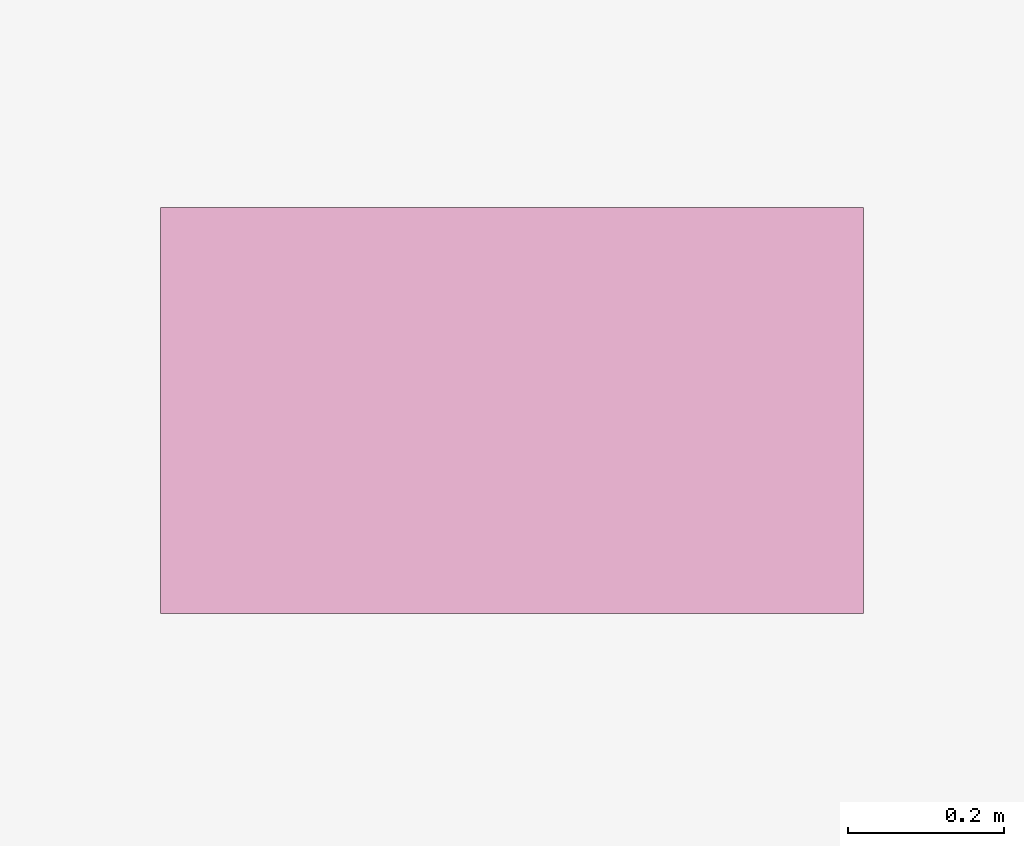
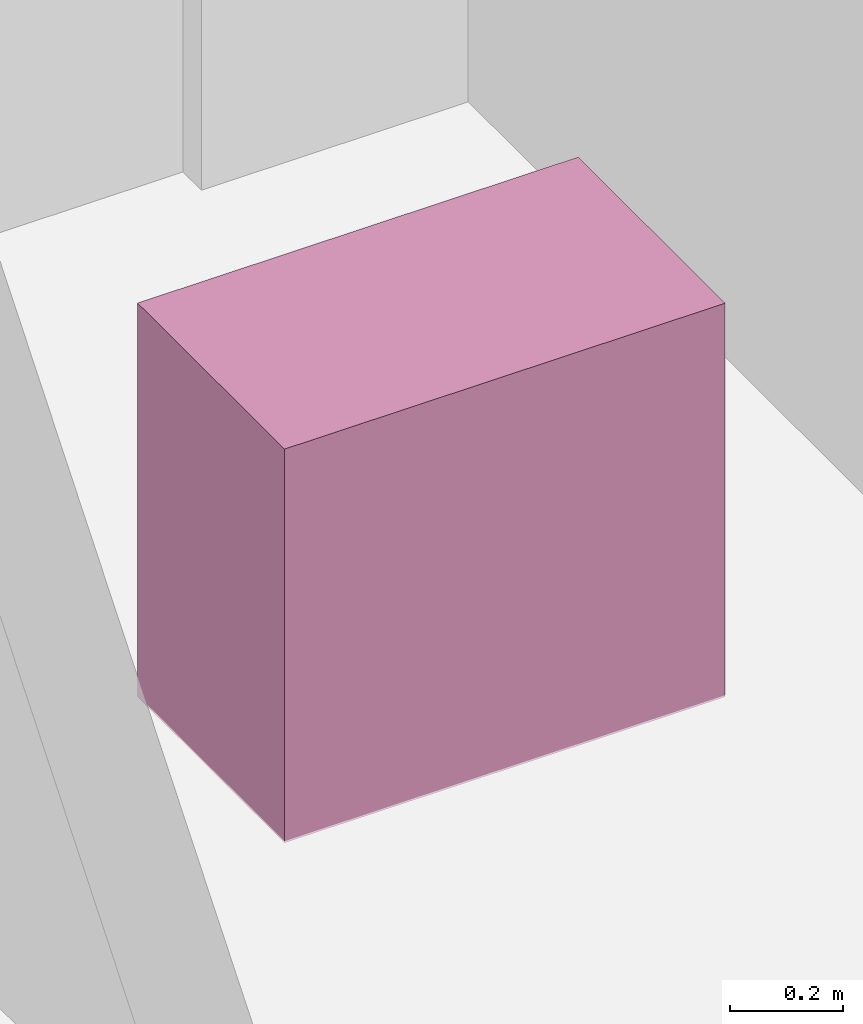
# One storey, part 31 of 31: 1 furnishing.
"""IFC4 building model written with IfcOpenShell, lengths in metres."""

from ifc_helpers import new_model, si_unit, direction, frame, origin, origin_2d, place, context, subcontext, project, spatial, rectangle, extrude, material, type_object, element, save


model = new_model("IFC4")

# Units and contexts
model_context = context("Model", 3, precision=1e-05, world=origin(), true_north=direction((0.0, 1.0)))
body_context = subcontext(model_context, "Body", "Model", "MODEL_VIEW")
ifc_project = project(units=[si_unit("LENGTHUNIT", "METRE"), si_unit("AREAUNIT", "SQUARE_METRE"), si_unit("VOLUMEUNIT", "CUBIC_METRE"), si_unit("PLANEANGLEUNIT", "RADIAN"), si_unit("MASSUNIT", "GRAM", prefix="KILO")], contexts=[model_context])

# Site, building, storey
site_placement = place(None, origin())
site = spatial("IfcSite", under=ifc_project, at=site_placement, CompositionType="ELEMENT")
building_placement = place(site_placement, origin())
building = spatial("IfcBuilding", under=site, at=building_placement, Name="Vorneva Point Tower", CompositionType="ELEMENT")
storey_placement = place(building_placement, frame((0.0, 0.0, 103.300048828125)))
storey = spatial("IfcBuildingStorey", under=building, at=storey_placement, Name="L27", CompositionType="ELEMENT", Elevation=103.300048828125)

# Furnishing
ifc_material = material(Name="Vitreous china and granite top", Category="masonry")
furniture_type = type_object("IfcFurnitureType", Name="FUR-VAN-900", AssemblyPlace="NOTDEFINED", PredefinedType="NOTDEFINED", material=ifc_material)
furnishing_placement = place(storey_placement, frame((34.52490234375, 32.1201171875, -0.005126953125), z_axis=(0.0, 0.0, 1.0), x_axis=(1.0, 0.0, 0.0)))
element("IfcFurnishingElement", 1, at=furnishing_placement, inside=storey, type_object=furniture_type, Name="L27 Accessible WC Vanity Unit", ObjectType="L27 Accessible WC Vanity Unit", context=body_context, shape_type="SweptSolid", body=[
    extrude(rectangle(XDim=0.89990234375, YDim=0.52001953125, at=origin_2d()), origin(), (0.0, 0.0, 1.0), 0.85009765625),
])

save(model, "model.ifc")
